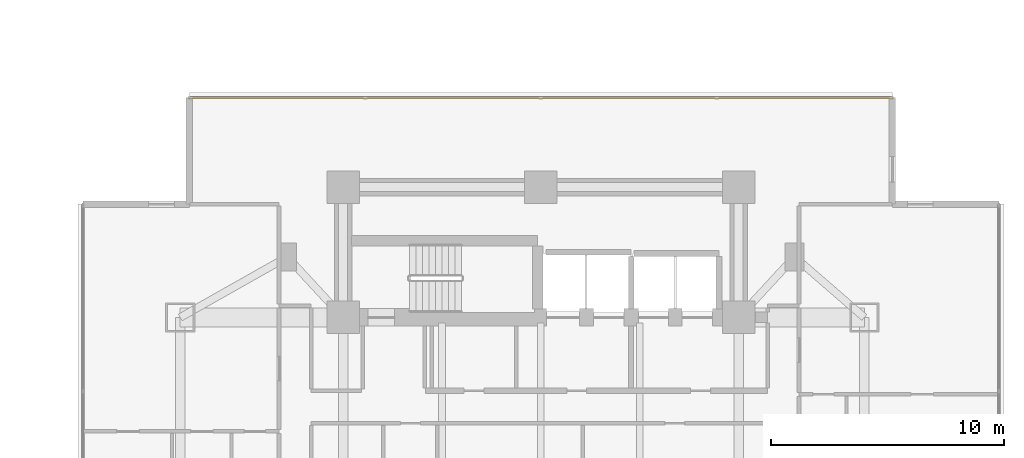
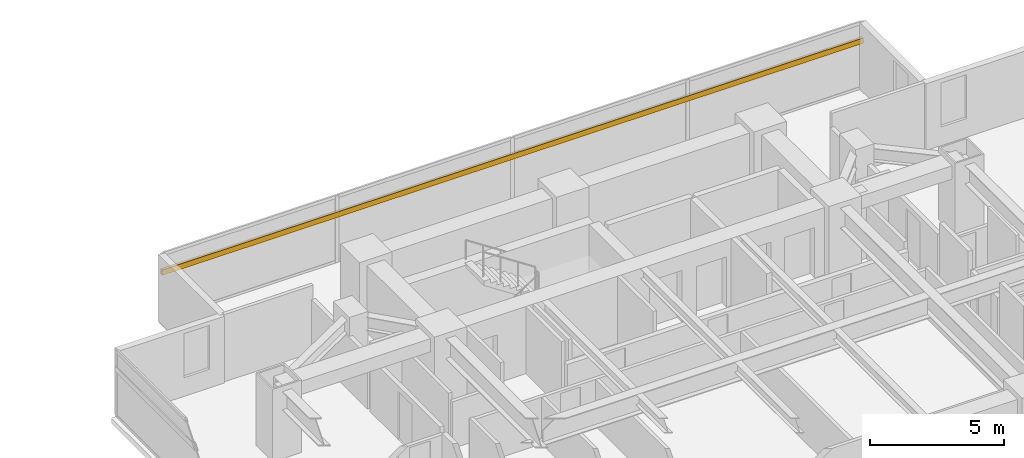
# One storey, part 26 of 26: 1 shading device.
"""IFC4 building model written with IfcOpenShell, lengths in metres."""

from ifc_helpers import new_model, si_unit, direction, frame, origin, origin_2d, place, context, subcontext, project, spatial, rectangle, extrude, material, material_profile, profile_set, type_object, element, save


model = new_model("IFC4")

# Units and contexts
model_context = context("Model", 3, precision=1e-05, world=origin(), true_north=direction((0.0, 1.0)))
body_context = subcontext(model_context, "Body", "Model", "MODEL_VIEW")
ifc_project = project(units=[si_unit("LENGTHUNIT", "METRE"), si_unit("AREAUNIT", "SQUARE_METRE"), si_unit("VOLUMEUNIT", "CUBIC_METRE"), si_unit("PLANEANGLEUNIT", "RADIAN"), si_unit("MASSUNIT", "GRAM", prefix="KILO")], contexts=[model_context])

# Site, building, storey
site_placement = place(None, origin())
site = spatial("IfcSite", under=ifc_project, at=site_placement, CompositionType="ELEMENT")
building_placement = place(site_placement, origin())
building = spatial("IfcBuilding", under=site, at=building_placement, Name="Mirazonda Arch Towers", CompositionType="ELEMENT")
storey_placement = place(building_placement, frame((0.0, 0.0, 48.800048828125)))
storey = spatial("IfcBuildingStorey", under=building, at=storey_placement, Name="L13", CompositionType="ELEMENT", Elevation=48.800048828125)

# Shading device
ifc_material = material(Name="Kiln-Fired Architectural Terracotta", Category="masonry")
ifc_material_profile = material_profile(ifc_material, rectangle(XDim=0.1201171875, YDim=0.239990234375, at=origin_2d()), Name="TERRA-BAG-120x240")
ifc_profile_set = profile_set([ifc_material_profile], Name="Kiln-Fired Architectural Terracotta")
shading_device_type = type_object("IfcShadingDeviceType", Name="BAGUETTE-1", PredefinedType="USERDEFINED", material=ifc_profile_set)
shading_device_placement = place(storey_placement, frame((61.39599609375, 44.646484375, 2.188720703125), z_axis=(1.0, 0.0, 0.0), x_axis=(0.0, 1.0, 0.0)))
element("IfcShadingDevice", 1, at=shading_device_placement, inside=storey, type_object=shading_device_type, Name="L13 Glazed Terracotta Sun-Screen Baguette CW-L13-T2-N", ObjectType="BAGUETTE", PredefinedType="USERDEFINED", context=body_context, shape_type="SweptSolid", body=[
    extrude(rectangle(XDim=0.1201171875, YDim=0.239990234375, at=origin_2d()), origin(), (0.0, 0.0, 1.0), 30.2080078125),
])

save(model, "model.ifc")
